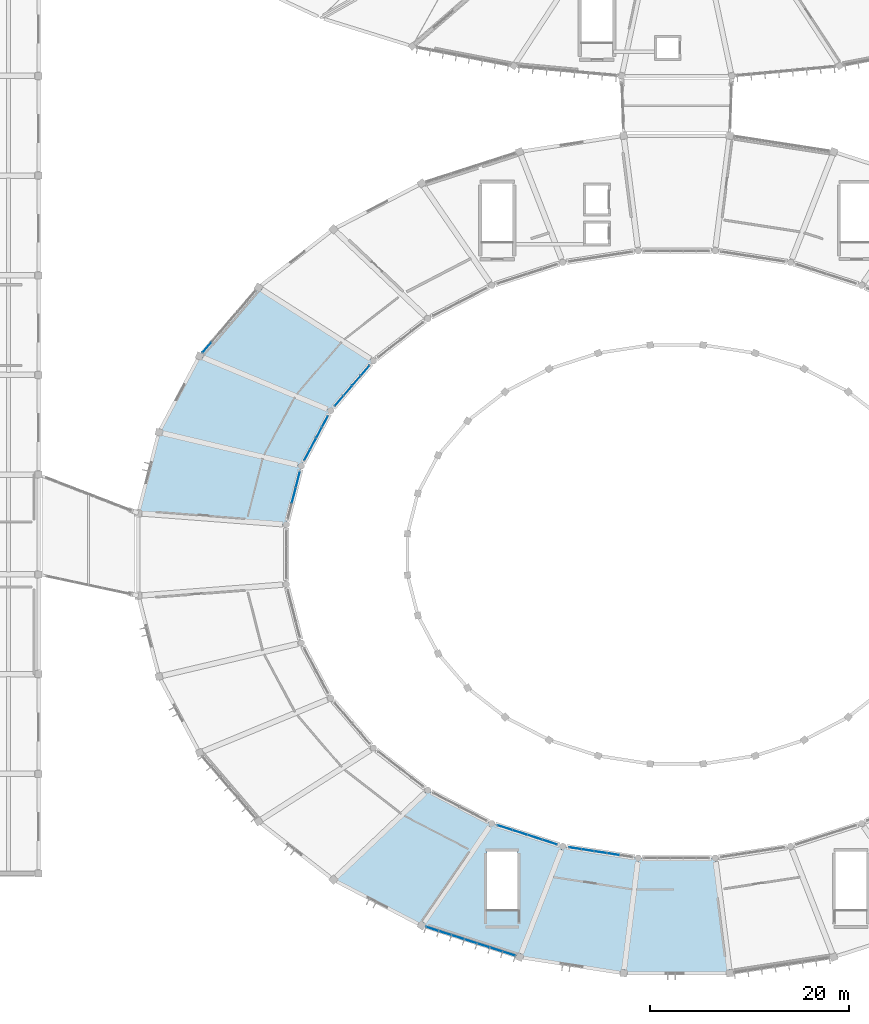
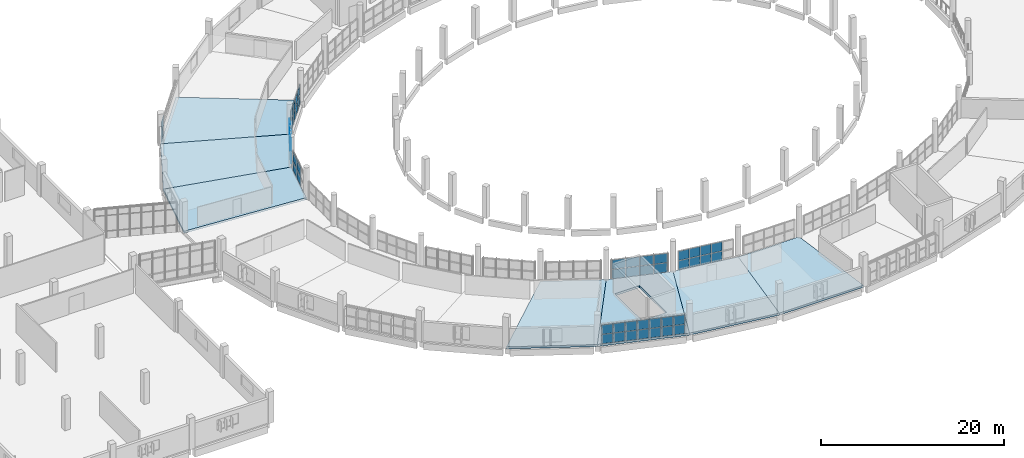
# One storey, part 75 of 142: 52 plates, 7 slabs, 7 elements without a shape of their own.
"""IFC4 building model written with IfcOpenShell, lengths in metres."""

from ifc_helpers import new_model, si_unit, direction, frame, origin, origin_2d, place, context, subcontext, project, spatial, polyline, rectangle, outline, extrude, material, layer, layer_set, type_object, element, aggregate, save


model = new_model("IFC4")

# Units and contexts
model_context = context("Model", 3, precision=1e-05, world=origin(), true_north=direction((0.0, 1.0)))
body_context = subcontext(model_context, "Body", "Model", "MODEL_VIEW")
ifc_project = project(units=[si_unit("LENGTHUNIT", "METRE"), si_unit("AREAUNIT", "SQUARE_METRE"), si_unit("VOLUMEUNIT", "CUBIC_METRE"), si_unit("PLANEANGLEUNIT", "RADIAN"), si_unit("MASSUNIT", "GRAM", prefix="KILO")], contexts=[model_context])

# Site, building, storey
site_placement = place(None, origin())
site = spatial("IfcSite", under=ifc_project, at=site_placement, CompositionType="ELEMENT")
building_placement = place(site_placement, origin())
building = spatial("IfcBuilding", under=site, at=building_placement, Name="Corvandel Quay Wholesale Market", CompositionType="ELEMENT")
storey_placement = place(building_placement, frame((0.0, 0.0, 10.800048828125)))
storey = spatial("IfcBuildingStorey", under=building, at=storey_placement, Name="L02", CompositionType="ELEMENT", Elevation=10.800048828125)

# Slabs
ifc_material_1 = material(Name="Concrete C40/50", Category="concrete")
ifc_layer_1 = layer(ifc_material_1, 0.280029296875)
ifc_layer_set_1 = layer_set([ifc_layer_1], Name="Concrete C40/50")
slab_type = type_object("IfcSlabType", Name="Composite Sorting Gallery Floor Slab 280", PredefinedType="FLOOR", material=ifc_layer_set_1)
slab_1_placement = place(storey_placement, frame((0.0, 0.0, -0.280029296875)))
element("IfcSlab", 1, at=slab_1_placement, inside=storey, type_object=slab_type, Name="Slab SLB-0066", PredefinedType="FLOOR", context=body_context, shape_type="SweptSolid", body=[
    extrude(outline(polyline([(83.590087890625, 61.410888671875), (79.305908203125, 56.423095703125), (66.14599609375, 61.89404296875), (72.054931640625, 68.77294921875), (83.590087890625, 61.410888671875)])), origin(), (0.0, 0.0, 1.0), 0.280029296875),
])
slab_2_placement = place(storey_placement, frame((0.0, 0.0, -0.280029296875)))
element("IfcSlab", 2, at=slab_2_placement, inside=storey, type_object=slab_type, Name="Slab SLB-0071", PredefinedType="FLOOR", context=body_context, shape_type="SweptSolid", body=[
    extrude(outline(polyline([(79.305908203125, 56.423095703125), (76.35498046875, 50.882080078125), (62.074951171875, 54.2509765625), (66.14599609375, 61.89404296875), (79.305908203125, 56.423095703125)])), origin(), (0.0, 0.0, 1.0), 0.280029296875),
])
slab_3_placement = place(storey_placement, frame((0.0, 0.0, -0.280029296875)))
element("IfcSlab", 3, at=slab_3_placement, inside=storey, type_object=slab_type, Name="Slab SLB-0076", PredefinedType="FLOOR", context=body_context, shape_type="SweptSolid", body=[
    extrude(outline(polyline([(76.35498046875, 50.882080078125), (74.85009765625, 44.9990234375), (60.0, 46.136962890625), (62.074951171875, 54.2509765625), (76.35498046875, 50.882080078125)])), origin(), (0.0, 0.0, 1.0), 0.280029296875),
])
slab_4_placement = place(storey_placement, frame((0.0, 0.0, -0.280029296875)))
element("IfcSlab", 4, at=slab_4_placement, inside=storey, type_object=slab_type, Name="Slab SLB-0101", PredefinedType="FLOOR", context=body_context, shape_type="SweptSolid", body=[
    extrude(outline(polyline([(89.04296875, 18.347900390625), (95.4560546875, 15.01611328125), (88.4208984375, 4.780029296875), (79.576904296875, 9.3759765625), (89.04296875, 18.347900390625)])), origin(), (0.0, 0.0, 1.0), 0.280029296875),
])
slab_5_placement = place(storey_placement, frame((0.0, 0.0, -0.280029296875)))
element("IfcSlab", 5, at=slab_5_placement, inside=storey, type_object=slab_type, Name="Slab SLB-0105", PredefinedType="FLOOR", context=body_context, shape_type="SweptSolid", body=[
    extrude(outline(polyline([(95.4560546875, 15.01611328125), (102.580078125, 12.719970703125), (98.2490234375, 1.614013671875), (88.4208984375, 4.780029296875), (95.4560546875, 15.01611328125)]), holes=[polyline([(98.050048828125, 12.199951171875), (94.949951171875, 12.199951171875), (94.949951171875, 6.300048828125), (98.050048828125, 6.300048828125), (98.050048828125, 12.199951171875)])]), origin(), (0.0, 0.0, 1.0), 0.280029296875),
])
slab_6_placement = place(storey_placement, frame((0.0, 0.0, -0.280029296875)))
element("IfcSlab", 6, at=slab_6_placement, inside=storey, type_object=slab_type, Name="Slab SLB-0109", PredefinedType="FLOOR", context=body_context, shape_type="SweptSolid", body=[
    extrude(outline(polyline([(102.580078125, 12.719970703125), (110.14404296875, 11.550048828125), (108.680908203125, 0.0), (98.2490234375, 1.614013671875), (102.580078125, 12.719970703125)])), origin(), (0.0, 0.0, 1.0), 0.280029296875),
])
slab_7_placement = place(storey_placement, frame((0.0, 0.0, -0.280029296875)))
element("IfcSlab", 7, at=slab_7_placement, inside=storey, type_object=slab_type, Name="Slab SLB-0113", PredefinedType="FLOOR", context=body_context, shape_type="SweptSolid", body=[
    extrude(outline(polyline([(110.14404296875, 11.550048828125), (117.85595703125, 11.550048828125), (119.319091796875, 0.0), (108.680908203125, 0.0), (110.14404296875, 11.550048828125)])), origin(), (0.0, 0.0, 1.0), 0.280029296875),
])

# Curtain wall, plates
ifc_material_2 = material(Name="Bronze anodised aluminium and low-E insulated glazing", Category="aluminium")
ifc_layer_2 = layer(ifc_material_2, 0.162109375)
ifc_layer_set_2 = layer_set([ifc_layer_2], Name="Bronze anodised aluminium and low-E insulated glazing")
curtain_wall_type_1 = type_object("IfcCurtainWallType", Name="Stick Curtain Wall System CW21 H4890", PredefinedType="NOTDEFINED", material=ifc_layer_set_2)
curtain_wall_1_placement = place(storey_placement, origin())
curtain_wall_1 = element("IfcCurtainWall", 8, at=curtain_wall_1_placement, inside=storey, type_object=curtain_wall_type_1, Name="Curtain Wall CW-0037", PredefinedType="NOTDEFINED")
ifc_material_3 = material(Name="Solar-control low-E insulated glazing", Category="glass")
ifc_layer_3 = layer(ifc_material_3, 0.028076171875)
ifc_layer_set_3 = layer_set([ifc_layer_3], Name="Solar-control low-E insulated glazing")
plate_type = type_object("IfcPlateType", Name="Double Low-E Vision Panel PN01 28mm", PredefinedType="CURTAIN_PANEL", material=ifc_layer_set_3)
plate_1_placement = place(storey_placement, frame((66.8828125, 62.751708984375, 0.02978515625), z_axis=(0.0, 0.0, 1.0), x_axis=(0.651568967347, 0.758589401976, 0.0)))
plate_1 = element("IfcPlate", 9, at=plate_1_placement, type_object=plate_type, Name="Glazing Panel CW-0037-P05-0", PredefinedType="CURTAIN_PANEL", context=body_context, shape_type="SweptSolid", body=[
    extrude(rectangle(XDim=1.29638671875, YDim=0.028076171875, at=origin_2d()), origin(), (0.0, 0.0, 1.0), 1.215087890625),
])
plate_2_placement = place(storey_placement, frame((66.8828125, 62.751708984375, 1.3046875), z_axis=(0.0, 0.0, 1.0), x_axis=(0.651568967347, 0.758589401976, 0.0)))
plate_2 = element("IfcPlate", 10, at=plate_2_placement, type_object=plate_type, Name="Glazing Panel CW-0037-P05-1", PredefinedType="CURTAIN_PANEL", context=body_context, shape_type="SweptSolid", body=[
    extrude(rectangle(XDim=1.29638671875, YDim=0.028076171875, at=origin_2d()), origin(), (0.0, 0.0, 1.0), 1.215087890625),
])
aggregate(curtain_wall_1, [plate_1, plate_2])

ifc_layer_4 = layer(ifc_material_2, 0.162109375)
ifc_layer_set_4 = layer_set([ifc_layer_4], Name="Bronze anodised aluminium and low-E insulated glazing")
curtain_wall_type_2 = type_object("IfcCurtainWallType", Name="Stick Curtain Wall System CW06 H3540", PredefinedType="NOTDEFINED", material=ifc_layer_set_4)
curtain_wall_2_placement = place(storey_placement, origin())
curtain_wall_2 = element("IfcCurtainWall", 11, at=curtain_wall_2_placement, inside=storey, type_object=curtain_wall_type_2, Name="Curtain Wall CW-0039", PredefinedType="NOTDEFINED")
plate_3_placement = place(storey_placement, frame((82.76123046875, 60.4462890625, 0.02978515625), z_axis=(0.0, 0.0, 1.0), x_axis=(0.651568967347, 0.758589401976, 0.0)))
plate_3 = element("IfcPlate", 12, at=plate_3_placement, type_object=plate_type, Name="Glazing Panel CW-0039-P00-0", PredefinedType="CURTAIN_PANEL", context=body_context, shape_type="SweptSolid", body=[
    extrude(rectangle(XDim=1.27880859375, YDim=0.028076171875, at=origin_2d()), origin(), (0.0, 0.0, 1.0), 1.215087890625),
])
plate_4_placement = place(storey_placement, frame((82.76123046875, 60.4462890625, 1.3046875), z_axis=(0.0, 0.0, 1.0), x_axis=(0.651568967347, 0.758589401976, 0.0)))
plate_4 = element("IfcPlate", 13, at=plate_4_placement, type_object=plate_type, Name="Glazing Panel CW-0039-P00-1", PredefinedType="CURTAIN_PANEL", context=body_context, shape_type="SweptSolid", body=[
    extrude(rectangle(XDim=1.27880859375, YDim=0.028076171875, at=origin_2d()), origin(), (0.0, 0.0, 1.0), 1.215087890625),
])
plate_5_placement = place(storey_placement, frame((81.8857421875, 59.4267578125, 0.02978515625), z_axis=(0.0, 0.0, 1.0), x_axis=(0.651568967347, 0.758589401976, 0.0)))
plate_5 = element("IfcPlate", 14, at=plate_5_placement, type_object=plate_type, Name="Glazing Panel CW-0039-P01-0", PredefinedType="CURTAIN_PANEL", context=body_context, shape_type="SweptSolid", body=[
    extrude(rectangle(XDim=1.27880859375, YDim=0.028076171875, at=origin_2d()), origin(), (0.0, 0.0, 1.0), 1.215087890625),
])
plate_6_placement = place(storey_placement, frame((81.8857421875, 59.4267578125, 1.3046875), z_axis=(0.0, 0.0, 1.0), x_axis=(0.651568967347, 0.758589401976, 0.0)))
plate_6 = element("IfcPlate", 15, at=plate_6_placement, type_object=plate_type, Name="Glazing Panel CW-0039-P01-1", PredefinedType="CURTAIN_PANEL", context=body_context, shape_type="SweptSolid", body=[
    extrude(rectangle(XDim=1.27880859375, YDim=0.028076171875, at=origin_2d()), origin(), (0.0, 0.0, 1.0), 1.215087890625),
])
plate_7_placement = place(storey_placement, frame((81.01025390625, 58.4072265625, 0.02978515625), z_axis=(0.0, 0.0, 1.0), x_axis=(0.651568967347, 0.758589401976, 0.0)))
plate_7 = element("IfcPlate", 16, at=plate_7_placement, type_object=plate_type, Name="Glazing Panel CW-0039-P02-0", PredefinedType="CURTAIN_PANEL", context=body_context, shape_type="SweptSolid", body=[
    extrude(rectangle(XDim=1.27880859375, YDim=0.028076171875, at=origin_2d()), origin(), (0.0, 0.0, 1.0), 1.215087890625),
])
plate_8_placement = place(storey_placement, frame((81.01025390625, 58.4072265625, 1.3046875), z_axis=(0.0, 0.0, 1.0), x_axis=(0.651568967347, 0.758589401976, 0.0)))
plate_8 = element("IfcPlate", 17, at=plate_8_placement, type_object=plate_type, Name="Glazing Panel CW-0039-P02-1", PredefinedType="CURTAIN_PANEL", context=body_context, shape_type="SweptSolid", body=[
    extrude(rectangle(XDim=1.27880859375, YDim=0.028076171875, at=origin_2d()), origin(), (0.0, 0.0, 1.0), 1.215087890625),
])
plate_9_placement = place(storey_placement, frame((80.134765625, 57.3876953125, 0.02978515625), z_axis=(0.0, 0.0, 1.0), x_axis=(0.651568967347, 0.758589401976, 0.0)))
plate_9 = element("IfcPlate", 18, at=plate_9_placement, type_object=plate_type, Name="Glazing Panel CW-0039-P03-0", PredefinedType="CURTAIN_PANEL", context=body_context, shape_type="SweptSolid", body=[
    extrude(rectangle(XDim=1.27880859375, YDim=0.028076171875, at=origin_2d()), origin(), (0.0, 0.0, 1.0), 1.215087890625),
])
plate_10_placement = place(storey_placement, frame((80.134765625, 57.3876953125, 1.3046875), z_axis=(0.0, 0.0, 1.0), x_axis=(0.651568967347, 0.758589401976, 0.0)))
plate_10 = element("IfcPlate", 19, at=plate_10_placement, type_object=plate_type, Name="Glazing Panel CW-0039-P03-1", PredefinedType="CURTAIN_PANEL", context=body_context, shape_type="SweptSolid", body=[
    extrude(rectangle(XDim=1.27880859375, YDim=0.028076171875, at=origin_2d()), origin(), (0.0, 0.0, 1.0), 1.215087890625),
])
aggregate(curtain_wall_2, [plate_3, plate_4, plate_5, plate_6, plate_7, plate_8, plate_9, plate_10])

ifc_layer_5 = layer(ifc_material_2, 0.174072265625)
ifc_layer_set_5 = layer_set([ifc_layer_5], Name="Bronze anodised aluminium and low-E insulated glazing")
curtain_wall_type_3 = type_object("IfcCurtainWallType", Name="Stick Curtain Wall System CW07 H3630", PredefinedType="NOTDEFINED", material=ifc_layer_set_5)
curtain_wall_3_placement = place(storey_placement, origin())
curtain_wall_3 = element("IfcCurtainWall", 20, at=curtain_wall_3_placement, inside=storey, type_object=curtain_wall_type_3, Name="Curtain Wall CW-0042", PredefinedType="NOTDEFINED")
plate_11_placement = place(storey_placement, frame((78.7255859375, 55.333251953125, 0.02978515625), z_axis=(0.0, 0.0, 1.0), x_axis=(0.470087862033, 0.882619624736, 0.0)))
plate_11 = element("IfcPlate", 21, at=plate_11_placement, type_object=plate_type, Name="Glazing Panel CW-0042-P00-0", PredefinedType="CURTAIN_PANEL", context=body_context, shape_type="SweptSolid", body=[
    extrude(rectangle(XDim=1.20458984375, YDim=0.028076171875, at=origin_2d()), origin(), (0.0, 0.0, 1.0), 1.215087890625),
])
plate_12_placement = place(storey_placement, frame((78.7255859375, 55.333251953125, 1.3046875), z_axis=(0.0, 0.0, 1.0), x_axis=(0.470087862033, 0.882619624736, 0.0)))
plate_12 = element("IfcPlate", 22, at=plate_12_placement, type_object=plate_type, Name="Glazing Panel CW-0042-P00-1", PredefinedType="CURTAIN_PANEL", context=body_context, shape_type="SweptSolid", body=[
    extrude(rectangle(XDim=1.20458984375, YDim=0.028076171875, at=origin_2d()), origin(), (0.0, 0.0, 1.0), 1.215087890625),
])
plate_13_placement = place(storey_placement, frame((78.12890625, 54.212646484375, 0.02978515625), z_axis=(0.0, 0.0, 1.0), x_axis=(0.470087862033, 0.882619624736, 0.0)))
plate_13 = element("IfcPlate", 23, at=plate_13_placement, type_object=plate_type, Name="Glazing Panel CW-0042-P01-0", PredefinedType="CURTAIN_PANEL", context=body_context, shape_type="SweptSolid", body=[
    extrude(rectangle(XDim=1.20458984375, YDim=0.028076171875, at=origin_2d()), origin(), (0.0, 0.0, 1.0), 1.215087890625),
])
plate_14_placement = place(storey_placement, frame((78.12890625, 54.212646484375, 1.3046875), z_axis=(0.0, 0.0, 1.0), x_axis=(0.470087862033, 0.882619624736, 0.0)))
plate_14 = element("IfcPlate", 24, at=plate_14_placement, type_object=plate_type, Name="Glazing Panel CW-0042-P01-1", PredefinedType="CURTAIN_PANEL", context=body_context, shape_type="SweptSolid", body=[
    extrude(rectangle(XDim=1.20458984375, YDim=0.028076171875, at=origin_2d()), origin(), (0.0, 0.0, 1.0), 1.215087890625),
])
plate_15_placement = place(storey_placement, frame((77.531982421875, 53.09228515625, 0.02978515625), z_axis=(0.0, 0.0, 1.0), x_axis=(0.470087862033, 0.882619624736, 0.0)))
plate_15 = element("IfcPlate", 25, at=plate_15_placement, type_object=plate_type, Name="Glazing Panel CW-0042-P02-0", PredefinedType="CURTAIN_PANEL", context=body_context, shape_type="SweptSolid", body=[
    extrude(rectangle(XDim=1.20458984375, YDim=0.028076171875, at=origin_2d()), origin(), (0.0, 0.0, 1.0), 1.215087890625),
])
plate_16_placement = place(storey_placement, frame((77.531982421875, 53.09228515625, 1.3046875), z_axis=(0.0, 0.0, 1.0), x_axis=(0.470087862033, 0.882619624736, 0.0)))
plate_16 = element("IfcPlate", 26, at=plate_16_placement, type_object=plate_type, Name="Glazing Panel CW-0042-P02-1", PredefinedType="CURTAIN_PANEL", context=body_context, shape_type="SweptSolid", body=[
    extrude(rectangle(XDim=1.20458984375, YDim=0.028076171875, at=origin_2d()), origin(), (0.0, 0.0, 1.0), 1.215087890625),
])
plate_17_placement = place(storey_placement, frame((76.935302734375, 51.9716796875, 0.02978515625), z_axis=(0.0, 0.0, 1.0), x_axis=(0.470087862033, 0.882619624736, 0.0)))
plate_17 = element("IfcPlate", 27, at=plate_17_placement, type_object=plate_type, Name="Glazing Panel CW-0042-P03-0", PredefinedType="CURTAIN_PANEL", context=body_context, shape_type="SweptSolid", body=[
    extrude(rectangle(XDim=1.20458984375, YDim=0.028076171875, at=origin_2d()), origin(), (0.0, 0.0, 1.0), 1.215087890625),
])
plate_18_placement = place(storey_placement, frame((76.935302734375, 51.9716796875, 1.3046875), z_axis=(0.0, 0.0, 1.0), x_axis=(0.470087862033, 0.882619624736, 0.0)))
plate_18 = element("IfcPlate", 28, at=plate_18_placement, type_object=plate_type, Name="Glazing Panel CW-0042-P03-1", PredefinedType="CURTAIN_PANEL", context=body_context, shape_type="SweptSolid", body=[
    extrude(rectangle(XDim=1.20458984375, YDim=0.028076171875, at=origin_2d()), origin(), (0.0, 0.0, 1.0), 1.215087890625),
])
aggregate(curtain_wall_3, [plate_11, plate_12, plate_13, plate_14, plate_15, plate_16, plate_17, plate_18])

ifc_layer_6 = layer(ifc_material_2, 0.18603515625)
ifc_layer_set_6 = layer_set([ifc_layer_6], Name="Bronze anodised aluminium and low-E insulated glazing")
curtain_wall_type_4 = type_object("IfcCurtainWallType", Name="Stick Curtain Wall System CW08 H3720", PredefinedType="NOTDEFINED", material=ifc_layer_set_6)
curtain_wall_4_placement = place(storey_placement, origin())
curtain_wall_4 = element("IfcCurtainWall", 29, at=curtain_wall_4_placement, inside=storey, type_object=curtain_wall_type_4, Name="Curtain Wall CW-0045", PredefinedType="NOTDEFINED")
plate_19_placement = place(storey_placement, frame((76.0048828125, 49.513916015625, 0.02978515625), z_axis=(0.0, 0.0, 1.0), x_axis=(0.247844544316, 0.968799815159, 0.0)))
plate_19 = element("IfcPlate", 30, at=plate_19_placement, type_object=plate_type, Name="Glazing Panel CW-0045-P00-0", PredefinedType="CURTAIN_PANEL", context=body_context, shape_type="SweptSolid", body=[
    extrude(rectangle(XDim=1.55908203125, YDim=0.028076171875, at=origin_2d()), origin(), (0.0, 0.0, 1.0), 1.215087890625),
])
plate_20_placement = place(storey_placement, frame((76.0048828125, 49.513916015625, 1.3046875), z_axis=(0.0, 0.0, 1.0), x_axis=(0.247844544316, 0.968799815159, 0.0)))
plate_20 = element("IfcPlate", 31, at=plate_20_placement, type_object=plate_type, Name="Glazing Panel CW-0045-P00-1", PredefinedType="CURTAIN_PANEL", context=body_context, shape_type="SweptSolid", body=[
    extrude(rectangle(XDim=1.55908203125, YDim=0.028076171875, at=origin_2d()), origin(), (0.0, 0.0, 1.0), 1.215087890625),
])
plate_21_placement = place(storey_placement, frame((75.6025390625, 47.9404296875, 0.02978515625), z_axis=(0.0, 0.0, 1.0), x_axis=(0.247844544316, 0.968799815159, 0.0)))
plate_21 = element("IfcPlate", 32, at=plate_21_placement, type_object=plate_type, Name="Glazing Panel CW-0045-P01-0", PredefinedType="CURTAIN_PANEL", context=body_context, shape_type="SweptSolid", body=[
    extrude(rectangle(XDim=1.55908203125, YDim=0.028076171875, at=origin_2d()), origin(), (0.0, 0.0, 1.0), 1.215087890625),
])
plate_22_placement = place(storey_placement, frame((75.6025390625, 47.9404296875, 1.3046875), z_axis=(0.0, 0.0, 1.0), x_axis=(0.247844544316, 0.968799815159, 0.0)))
plate_22 = element("IfcPlate", 33, at=plate_22_placement, type_object=plate_type, Name="Glazing Panel CW-0045-P01-1", PredefinedType="CURTAIN_PANEL", context=body_context, shape_type="SweptSolid", body=[
    extrude(rectangle(XDim=1.55908203125, YDim=0.028076171875, at=origin_2d()), origin(), (0.0, 0.0, 1.0), 1.215087890625),
])
aggregate(curtain_wall_4, [plate_19, plate_20, plate_21, plate_22])

ifc_layer_7 = layer(ifc_material_2, 0.174072265625)
ifc_layer_set_7 = layer_set([ifc_layer_7], Name="Bronze anodised aluminium and low-E insulated glazing")
curtain_wall_type_5 = type_object("IfcCurtainWallType", Name="Stick Curtain Wall System CW02 H3180", PredefinedType="NOTDEFINED", material=ifc_layer_set_7)
curtain_wall_5_placement = place(storey_placement, origin())
curtain_wall_5 = element("IfcCurtainWall", 34, at=curtain_wall_5_placement, inside=storey, type_object=curtain_wall_type_5, Name="Curtain Wall CW-0063", PredefinedType="NOTDEFINED")
plate_23_placement = place(storey_placement, frame((89.489990234375, 4.435546875, 0.02978515625), z_axis=(0.0, 0.0, 1.0), x_axis=(-0.951808747363, 0.306692204733, 0.0)))
plate_23 = element("IfcPlate", 35, at=plate_23_placement, type_object=plate_type, Name="Glazing Panel CW-0063-P00-0", PredefinedType="CURTAIN_PANEL", context=body_context, shape_type="SweptSolid", body=[
    extrude(rectangle(XDim=1.281494140625, YDim=0.028076171875, at=origin_2d()), origin(), (0.0, 0.0, 1.0), 1.215087890625),
])
plate_24_placement = place(storey_placement, frame((89.489990234375, 4.435546875, 1.3046875), z_axis=(0.0, 0.0, 1.0), x_axis=(-0.951808747363, 0.306692204733, 0.0)))
plate_24 = element("IfcPlate", 36, at=plate_24_placement, type_object=plate_type, Name="Glazing Panel CW-0063-P00-1", PredefinedType="CURTAIN_PANEL", context=body_context, shape_type="SweptSolid", body=[
    extrude(rectangle(XDim=1.281494140625, YDim=0.028076171875, at=origin_2d()), origin(), (0.0, 0.0, 1.0), 1.215087890625),
])
plate_25_placement = place(storey_placement, frame((90.771728515625, 4.022705078125, 0.02978515625), z_axis=(0.0, 0.0, 1.0), x_axis=(-0.951808747363, 0.306692204733, 0.0)))
plate_25 = element("IfcPlate", 37, at=plate_25_placement, type_object=plate_type, Name="Glazing Panel CW-0063-P01-0", PredefinedType="CURTAIN_PANEL", context=body_context, shape_type="SweptSolid", body=[
    extrude(rectangle(XDim=1.281494140625, YDim=0.028076171875, at=origin_2d()), origin(), (0.0, 0.0, 1.0), 1.215087890625),
])
plate_26_placement = place(storey_placement, frame((90.771728515625, 4.022705078125, 1.3046875), z_axis=(0.0, 0.0, 1.0), x_axis=(-0.951808747363, 0.306692204733, 0.0)))
plate_26 = element("IfcPlate", 38, at=plate_26_placement, type_object=plate_type, Name="Glazing Panel CW-0063-P01-1", PredefinedType="CURTAIN_PANEL", context=body_context, shape_type="SweptSolid", body=[
    extrude(rectangle(XDim=1.281494140625, YDim=0.028076171875, at=origin_2d()), origin(), (0.0, 0.0, 1.0), 1.215087890625),
])
plate_27_placement = place(storey_placement, frame((92.053466796875, 3.60986328125, 0.02978515625), z_axis=(0.0, 0.0, 1.0), x_axis=(-0.951808747363, 0.306692204733, 0.0)))
plate_27 = element("IfcPlate", 39, at=plate_27_placement, type_object=plate_type, Name="Glazing Panel CW-0063-P02-0", PredefinedType="CURTAIN_PANEL", context=body_context, shape_type="SweptSolid", body=[
    extrude(rectangle(XDim=1.281494140625, YDim=0.028076171875, at=origin_2d()), origin(), (0.0, 0.0, 1.0), 1.215087890625),
])
plate_28_placement = place(storey_placement, frame((92.053466796875, 3.60986328125, 1.3046875), z_axis=(0.0, 0.0, 1.0), x_axis=(-0.951808747363, 0.306692204733, 0.0)))
plate_28 = element("IfcPlate", 40, at=plate_28_placement, type_object=plate_type, Name="Glazing Panel CW-0063-P02-1", PredefinedType="CURTAIN_PANEL", context=body_context, shape_type="SweptSolid", body=[
    extrude(rectangle(XDim=1.281494140625, YDim=0.028076171875, at=origin_2d()), origin(), (0.0, 0.0, 1.0), 1.215087890625),
])
plate_29_placement = place(storey_placement, frame((93.3349609375, 3.197021484375, 0.02978515625), z_axis=(0.0, 0.0, 1.0), x_axis=(-0.951808747363, 0.306692204733, 0.0)))
plate_29 = element("IfcPlate", 41, at=plate_29_placement, type_object=plate_type, Name="Glazing Panel CW-0063-P03-0", PredefinedType="CURTAIN_PANEL", context=body_context, shape_type="SweptSolid", body=[
    extrude(rectangle(XDim=1.281494140625, YDim=0.028076171875, at=origin_2d()), origin(), (0.0, 0.0, 1.0), 1.215087890625),
])
plate_30_placement = place(storey_placement, frame((93.3349609375, 3.197021484375, 1.3046875), z_axis=(0.0, 0.0, 1.0), x_axis=(-0.951808747363, 0.306692204733, 0.0)))
plate_30 = element("IfcPlate", 42, at=plate_30_placement, type_object=plate_type, Name="Glazing Panel CW-0063-P03-1", PredefinedType="CURTAIN_PANEL", context=body_context, shape_type="SweptSolid", body=[
    extrude(rectangle(XDim=1.281494140625, YDim=0.028076171875, at=origin_2d()), origin(), (0.0, 0.0, 1.0), 1.215087890625),
])
plate_31_placement = place(storey_placement, frame((94.61669921875, 2.7841796875, 0.02978515625), z_axis=(0.0, 0.0, 1.0), x_axis=(-0.951808747363, 0.306692204733, 0.0)))
plate_31 = element("IfcPlate", 43, at=plate_31_placement, type_object=plate_type, Name="Glazing Panel CW-0063-P04-0", PredefinedType="CURTAIN_PANEL", context=body_context, shape_type="SweptSolid", body=[
    extrude(rectangle(XDim=1.281494140625, YDim=0.028076171875, at=origin_2d()), origin(), (0.0, 0.0, 1.0), 1.215087890625),
])
plate_32_placement = place(storey_placement, frame((94.61669921875, 2.7841796875, 1.3046875), z_axis=(0.0, 0.0, 1.0), x_axis=(-0.951808747363, 0.306692204733, 0.0)))
plate_32 = element("IfcPlate", 44, at=plate_32_placement, type_object=plate_type, Name="Glazing Panel CW-0063-P04-1", PredefinedType="CURTAIN_PANEL", context=body_context, shape_type="SweptSolid", body=[
    extrude(rectangle(XDim=1.281494140625, YDim=0.028076171875, at=origin_2d()), origin(), (0.0, 0.0, 1.0), 1.215087890625),
])
plate_33_placement = place(storey_placement, frame((95.898193359375, 2.371337890625, 0.02978515625), z_axis=(0.0, 0.0, 1.0), x_axis=(-0.951808747363, 0.306692204733, 0.0)))
plate_33 = element("IfcPlate", 45, at=plate_33_placement, type_object=plate_type, Name="Glazing Panel CW-0063-P05-0", PredefinedType="CURTAIN_PANEL", context=body_context, shape_type="SweptSolid", body=[
    extrude(rectangle(XDim=1.281494140625, YDim=0.028076171875, at=origin_2d()), origin(), (0.0, 0.0, 1.0), 1.215087890625),
])
plate_34_placement = place(storey_placement, frame((95.898193359375, 2.371337890625, 1.3046875), z_axis=(0.0, 0.0, 1.0), x_axis=(-0.951808747363, 0.306692204733, 0.0)))
plate_34 = element("IfcPlate", 46, at=plate_34_placement, type_object=plate_type, Name="Glazing Panel CW-0063-P05-1", PredefinedType="CURTAIN_PANEL", context=body_context, shape_type="SweptSolid", body=[
    extrude(rectangle(XDim=1.281494140625, YDim=0.028076171875, at=origin_2d()), origin(), (0.0, 0.0, 1.0), 1.215087890625),
])
plate_35_placement = place(storey_placement, frame((97.179931640625, 1.95849609375, 0.02978515625), z_axis=(0.0, 0.0, 1.0), x_axis=(-0.951808747363, 0.306692204733, 0.0)))
plate_35 = element("IfcPlate", 47, at=plate_35_placement, type_object=plate_type, Name="Glazing Panel CW-0063-P06-0", PredefinedType="CURTAIN_PANEL", context=body_context, shape_type="SweptSolid", body=[
    extrude(rectangle(XDim=1.281494140625, YDim=0.028076171875, at=origin_2d()), origin(), (0.0, 0.0, 1.0), 1.215087890625),
])
plate_36_placement = place(storey_placement, frame((97.179931640625, 1.95849609375, 1.3046875), z_axis=(0.0, 0.0, 1.0), x_axis=(-0.951808747363, 0.306692204733, 0.0)))
plate_36 = element("IfcPlate", 48, at=plate_36_placement, type_object=plate_type, Name="Glazing Panel CW-0063-P06-1", PredefinedType="CURTAIN_PANEL", context=body_context, shape_type="SweptSolid", body=[
    extrude(rectangle(XDim=1.281494140625, YDim=0.028076171875, at=origin_2d()), origin(), (0.0, 0.0, 1.0), 1.215087890625),
])
aggregate(curtain_wall_5, [plate_23, plate_24, plate_25, plate_26, plate_27, plate_28, plate_29, plate_30, plate_31, plate_32, plate_33, plate_34, plate_35, plate_36])

ifc_layer_8 = layer(ifc_material_2, 0.14990234375)
ifc_layer_set_8 = layer_set([ifc_layer_8], Name="Bronze anodised aluminium and low-E insulated glazing")
curtain_wall_type_6 = type_object("IfcCurtainWallType", Name="Stick Curtain Wall System CW15 H4350", PredefinedType="NOTDEFINED", material=ifc_layer_set_8)
curtain_wall_6_placement = place(storey_placement, origin())
curtain_wall_6 = element("IfcCurtainWall", 49, at=curtain_wall_6_placement, inside=storey, type_object=curtain_wall_type_6, Name="Curtain Wall CW-0065", PredefinedType="NOTDEFINED")
plate_37_placement = place(storey_placement, frame((96.77490234375, 14.591064453125, 0.02978515625), z_axis=(0.0, 0.0, 1.0), x_axis=(-0.951808747363, 0.306692204733, 0.0)))
plate_37 = element("IfcPlate", 50, at=plate_37_placement, type_object=plate_type, Name="Glazing Panel CW-0065-P00-0", PredefinedType="CURTAIN_PANEL", context=body_context, shape_type="SweptSolid", body=[
    extrude(rectangle(XDim=1.506103515625, YDim=0.028076171875, at=origin_2d()), origin(), (0.0, 0.0, 1.0), 1.215087890625),
])
plate_38_placement = place(storey_placement, frame((96.77490234375, 14.591064453125, 1.3046875), z_axis=(0.0, 0.0, 1.0), x_axis=(-0.951808747363, 0.306692204733, 0.0)))
plate_38 = element("IfcPlate", 51, at=plate_38_placement, type_object=plate_type, Name="Glazing Panel CW-0065-P00-1", PredefinedType="CURTAIN_PANEL", context=body_context, shape_type="SweptSolid", body=[
    extrude(rectangle(XDim=1.506103515625, YDim=0.028076171875, at=origin_2d()), origin(), (0.0, 0.0, 1.0), 1.215087890625),
])
plate_39_placement = place(storey_placement, frame((98.270263671875, 14.10888671875, 0.02978515625), z_axis=(0.0, 0.0, 1.0), x_axis=(-0.951808747363, 0.306692204733, 0.0)))
plate_39 = element("IfcPlate", 52, at=plate_39_placement, type_object=plate_type, Name="Glazing Panel CW-0065-P01-0", PredefinedType="CURTAIN_PANEL", context=body_context, shape_type="SweptSolid", body=[
    extrude(rectangle(XDim=1.506103515625, YDim=0.028076171875, at=origin_2d()), origin(), (0.0, 0.0, 1.0), 1.215087890625),
])
plate_40_placement = place(storey_placement, frame((98.270263671875, 14.10888671875, 1.3046875), z_axis=(0.0, 0.0, 1.0), x_axis=(-0.951808747363, 0.306692204733, 0.0)))
plate_40 = element("IfcPlate", 53, at=plate_40_placement, type_object=plate_type, Name="Glazing Panel CW-0065-P01-1", PredefinedType="CURTAIN_PANEL", context=body_context, shape_type="SweptSolid", body=[
    extrude(rectangle(XDim=1.506103515625, YDim=0.028076171875, at=origin_2d()), origin(), (0.0, 0.0, 1.0), 1.215087890625),
])
plate_41_placement = place(storey_placement, frame((99.765625, 13.626953125, 0.02978515625), z_axis=(0.0, 0.0, 1.0), x_axis=(-0.951808747363, 0.306692204733, 0.0)))
plate_41 = element("IfcPlate", 54, at=plate_41_placement, type_object=plate_type, Name="Glazing Panel CW-0065-P02-0", PredefinedType="CURTAIN_PANEL", context=body_context, shape_type="SweptSolid", body=[
    extrude(rectangle(XDim=1.506103515625, YDim=0.028076171875, at=origin_2d()), origin(), (0.0, 0.0, 1.0), 1.215087890625),
])
plate_42_placement = place(storey_placement, frame((99.765625, 13.626953125, 1.3046875), z_axis=(0.0, 0.0, 1.0), x_axis=(-0.951808747363, 0.306692204733, 0.0)))
plate_42 = element("IfcPlate", 55, at=plate_42_placement, type_object=plate_type, Name="Glazing Panel CW-0065-P02-1", PredefinedType="CURTAIN_PANEL", context=body_context, shape_type="SweptSolid", body=[
    extrude(rectangle(XDim=1.506103515625, YDim=0.028076171875, at=origin_2d()), origin(), (0.0, 0.0, 1.0), 1.215087890625),
])
plate_43_placement = place(storey_placement, frame((101.26123046875, 13.14501953125, 0.02978515625), z_axis=(0.0, 0.0, 1.0), x_axis=(-0.951808747363, 0.306692204733, 0.0)))
plate_43 = element("IfcPlate", 56, at=plate_43_placement, type_object=plate_type, Name="Glazing Panel CW-0065-P03-0", PredefinedType="CURTAIN_PANEL", context=body_context, shape_type="SweptSolid", body=[
    extrude(rectangle(XDim=1.506103515625, YDim=0.028076171875, at=origin_2d()), origin(), (0.0, 0.0, 1.0), 1.215087890625),
])
plate_44_placement = place(storey_placement, frame((101.26123046875, 13.14501953125, 1.3046875), z_axis=(0.0, 0.0, 1.0), x_axis=(-0.951808747363, 0.306692204733, 0.0)))
plate_44 = element("IfcPlate", 57, at=plate_44_placement, type_object=plate_type, Name="Glazing Panel CW-0065-P03-1", PredefinedType="CURTAIN_PANEL", context=body_context, shape_type="SweptSolid", body=[
    extrude(rectangle(XDim=1.506103515625, YDim=0.028076171875, at=origin_2d()), origin(), (0.0, 0.0, 1.0), 1.215087890625),
])
aggregate(curtain_wall_6, [plate_37, plate_38, plate_39, plate_40, plate_41, plate_42, plate_43, plate_44])

ifc_layer_9 = layer(ifc_material_2, 0.162109375)
ifc_layer_set_9 = layer_set([ifc_layer_9], Name="Bronze anodised aluminium and low-E insulated glazing")
curtain_wall_type_7 = type_object("IfcCurtainWallType", Name="Stick Curtain Wall System CW16 H4440", PredefinedType="NOTDEFINED", material=ifc_layer_set_9)
curtain_wall_7_placement = place(storey_placement, origin())
curtain_wall_7 = element("IfcCurtainWall", 58, at=curtain_wall_7_placement, inside=storey, type_object=curtain_wall_type_7, Name="Curtain Wall CW-0068", PredefinedType="NOTDEFINED")
plate_45_placement = place(storey_placement, frame((103.810791015625, 12.529541015625, 0.02978515625), z_axis=(0.0, 0.0, 1.0), x_axis=(-0.98825506746, 0.152813355565, 0.0)))
plate_45 = element("IfcPlate", 59, at=plate_45_placement, type_object=plate_type, Name="Glazing Panel CW-0068-P00-0", PredefinedType="CURTAIN_PANEL", context=body_context, shape_type="SweptSolid", body=[
    extrude(rectangle(XDim=1.225830078125, YDim=0.028076171875, at=origin_2d()), origin(), (0.0, 0.0, 1.0), 1.215087890625),
])
plate_46_placement = place(storey_placement, frame((103.810791015625, 12.529541015625, 1.3046875), z_axis=(0.0, 0.0, 1.0), x_axis=(-0.98825506746, 0.152813355565, 0.0)))
plate_46 = element("IfcPlate", 60, at=plate_46_placement, type_object=plate_type, Name="Glazing Panel CW-0068-P00-1", PredefinedType="CURTAIN_PANEL", context=body_context, shape_type="SweptSolid", body=[
    extrude(rectangle(XDim=1.225830078125, YDim=0.028076171875, at=origin_2d()), origin(), (0.0, 0.0, 1.0), 1.215087890625),
])
plate_47_placement = place(storey_placement, frame((105.08642578125, 12.332275390625, 0.02978515625), z_axis=(0.0, 0.0, 1.0), x_axis=(-0.98825506746, 0.152813355565, 0.0)))
plate_47 = element("IfcPlate", 61, at=plate_47_placement, type_object=plate_type, Name="Glazing Panel CW-0068-P01-0", PredefinedType="CURTAIN_PANEL", context=body_context, shape_type="SweptSolid", body=[
    extrude(rectangle(XDim=1.225830078125, YDim=0.028076171875, at=origin_2d()), origin(), (0.0, 0.0, 1.0), 1.215087890625),
])
plate_48_placement = place(storey_placement, frame((105.08642578125, 12.332275390625, 1.3046875), z_axis=(0.0, 0.0, 1.0), x_axis=(-0.98825506746, 0.152813355565, 0.0)))
plate_48 = element("IfcPlate", 62, at=plate_48_placement, type_object=plate_type, Name="Glazing Panel CW-0068-P01-1", PredefinedType="CURTAIN_PANEL", context=body_context, shape_type="SweptSolid", body=[
    extrude(rectangle(XDim=1.225830078125, YDim=0.028076171875, at=origin_2d()), origin(), (0.0, 0.0, 1.0), 1.215087890625),
])
plate_49_placement = place(storey_placement, frame((106.362060546875, 12.135009765625, 0.02978515625), z_axis=(0.0, 0.0, 1.0), x_axis=(-0.98825506746, 0.152813355565, 0.0)))
plate_49 = element("IfcPlate", 63, at=plate_49_placement, type_object=plate_type, Name="Glazing Panel CW-0068-P02-0", PredefinedType="CURTAIN_PANEL", context=body_context, shape_type="SweptSolid", body=[
    extrude(rectangle(XDim=1.225830078125, YDim=0.028076171875, at=origin_2d()), origin(), (0.0, 0.0, 1.0), 1.215087890625),
])
plate_50_placement = place(storey_placement, frame((106.362060546875, 12.135009765625, 1.3046875), z_axis=(0.0, 0.0, 1.0), x_axis=(-0.98825506746, 0.152813355565, 0.0)))
plate_50 = element("IfcPlate", 64, at=plate_50_placement, type_object=plate_type, Name="Glazing Panel CW-0068-P02-1", PredefinedType="CURTAIN_PANEL", context=body_context, shape_type="SweptSolid", body=[
    extrude(rectangle(XDim=1.225830078125, YDim=0.028076171875, at=origin_2d()), origin(), (0.0, 0.0, 1.0), 1.215087890625),
])
plate_51_placement = place(storey_placement, frame((107.6376953125, 11.937744140625, 0.02978515625), z_axis=(0.0, 0.0, 1.0), x_axis=(-0.98825506746, 0.152813355565, 0.0)))
plate_51 = element("IfcPlate", 65, at=plate_51_placement, type_object=plate_type, Name="Glazing Panel CW-0068-P03-0", PredefinedType="CURTAIN_PANEL", context=body_context, shape_type="SweptSolid", body=[
    extrude(rectangle(XDim=1.225830078125, YDim=0.028076171875, at=origin_2d()), origin(), (0.0, 0.0, 1.0), 1.215087890625),
])
plate_52_placement = place(storey_placement, frame((107.6376953125, 11.937744140625, 1.3046875), z_axis=(0.0, 0.0, 1.0), x_axis=(-0.98825506746, 0.152813355565, 0.0)))
plate_52 = element("IfcPlate", 66, at=plate_52_placement, type_object=plate_type, Name="Glazing Panel CW-0068-P03-1", PredefinedType="CURTAIN_PANEL", context=body_context, shape_type="SweptSolid", body=[
    extrude(rectangle(XDim=1.225830078125, YDim=0.028076171875, at=origin_2d()), origin(), (0.0, 0.0, 1.0), 1.215087890625),
])
aggregate(curtain_wall_7, [plate_45, plate_46, plate_47, plate_48, plate_49, plate_50, plate_51, plate_52])

save(model, "model.ifc")
